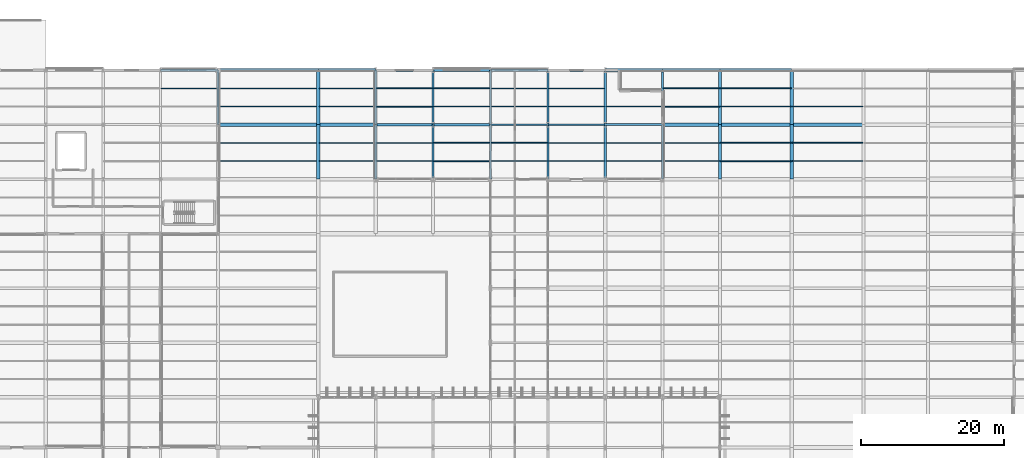
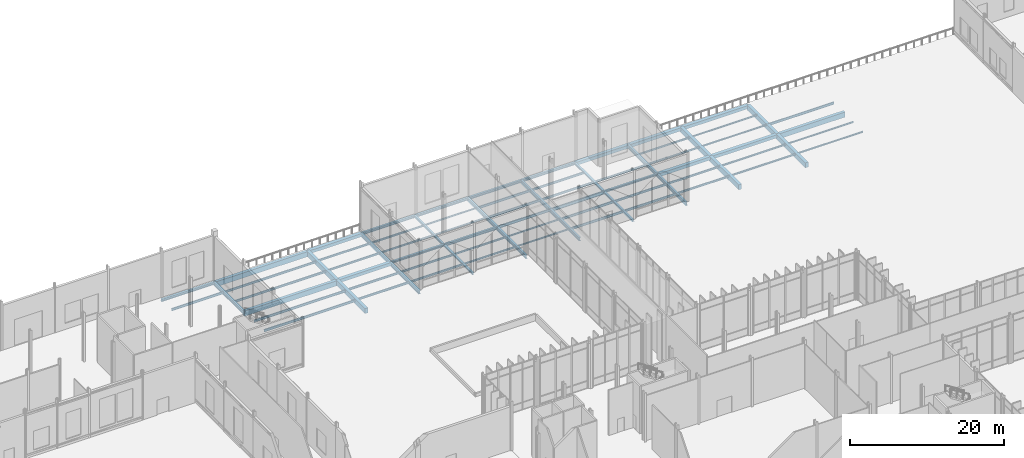
# One storey, part 114 of 176: 78 beams.
"""IFC4 building model written with IfcOpenShell, lengths in metres."""

from ifc_helpers import new_model, si_unit, direction, frame, origin, origin_2d, place, context, subcontext, project, spatial, rectangle, i_section, extrude, material, material_profile, profile_set, type_object, element, save


model = new_model("IFC4")

# Units and contexts
model_context = context("Model", 3, precision=1e-05, world=origin(), true_north=direction((0.0, 1.0)))
body_context = subcontext(model_context, "Body", "Model", "MODEL_VIEW")
ifc_project = project(units=[si_unit("LENGTHUNIT", "METRE"), si_unit("AREAUNIT", "SQUARE_METRE"), si_unit("VOLUMEUNIT", "CUBIC_METRE"), si_unit("PLANEANGLEUNIT", "RADIAN"), si_unit("MASSUNIT", "GRAM", prefix="KILO")], contexts=[model_context])

# Site, building, storey
site_placement = place(None, origin())
site = spatial("IfcSite", under=ifc_project, at=site_placement, CompositionType="ELEMENT")
building_placement = place(site_placement, origin())
building = spatial("IfcBuilding", under=site, at=building_placement, Name="Vekula Escarpment Museum", CompositionType="ELEMENT")
storey_placement = place(building_placement, origin())
storey = spatial("IfcBuildingStorey", under=building, at=storey_placement, Name="L01", CompositionType="ELEMENT", Elevation=0.0)

# Beams
ifc_material_1 = material(Name="Steel S355", Category="steel")
ifc_material_profile_1 = material_profile(ifc_material_1, i_section(OverallWidth=0.280029296875, OverallDepth=0.280029296875, WebThickness=0.010498046875, FlangeThickness=0.01806640625, FilletRadius=0.02392578125, at=origin_2d()), Name="HEB 280")
ifc_profile_set_1 = profile_set([ifc_material_profile_1], Name="Steel S355")
beam_type_1 = type_object("IfcBeamType", Name="BM-GIRD-HEB280", PredefinedType="BEAM", material=ifc_profile_set_1)
beam_1_placement = place(storey_placement, frame((110.0, 128.39990234375, -0.43994140625), z_axis=(1.0, 0.0, 0.0), x_axis=(0.0, 1.0, 0.0)))
element("IfcBeam", 1, at=beam_1_placement, inside=storey, type_object=beam_type_1, Name="Beam X L01 0367", PredefinedType="BEAM", context=body_context, shape_type="SweptSolid", body=[
    extrude(i_section(OverallWidth=0.280029296875, OverallDepth=0.280029296875, WebThickness=0.010498046875, FlangeThickness=0.01806640625, FilletRadius=0.02392578125, at=origin_2d()), origin(), (0.0, 0.0, 1.0), 8.0),
])
ifc_material_2 = material(Name="Steel S355", Category="steel")
ifc_material_profile_2 = material_profile(ifc_material_2, i_section(OverallWidth=0.300048828125, OverallDepth=0.320068359375, WebThickness=0.011474609375, FlangeThickness=0.0205078125, FilletRadius=0.027099609375, at=origin_2d()), Name="HEB 320")
ifc_profile_set_2 = profile_set([ifc_material_profile_2], Name="Steel S355")
beam_type_2 = type_object("IfcBeamType", Name="BM-GIRD-HEB320", PredefinedType="BEAM", material=ifc_profile_set_2)
beam_2_placement = place(storey_placement, frame((78.0, 128.39990234375, -0.4599609375), z_axis=(1.0, 0.0, 0.0), x_axis=(0.0, 1.0, 0.0)))
element("IfcBeam", 2, at=beam_2_placement, inside=storey, type_object=beam_type_2, Name="Beam X L01 0363", PredefinedType="BEAM", context=body_context, shape_type="SweptSolid", body=[
    extrude(i_section(OverallWidth=0.300048828125, OverallDepth=0.320068359375, WebThickness=0.011474609375, FlangeThickness=0.0205078125, FilletRadius=0.027099609375, at=origin_2d()), origin(), (0.0, 0.0, 1.0), 8.0),
])
ifc_material_3 = material(Name="Steel S355", Category="steel")
ifc_material_profile_3 = material_profile(ifc_material_3, i_section(OverallWidth=0.300048828125, OverallDepth=0.39990234375, WebThickness=0.013427734375, FlangeThickness=0.02392578125, FilletRadius=0.027099609375, at=origin_2d()), Name="HEB 400")
ifc_profile_set_3 = profile_set([ifc_material_profile_3], Name="Steel S355")
beam_type_3 = type_object("IfcBeamType", Name="BM-GIRD-HEB400", PredefinedType="BEAM", material=ifc_profile_set_3)
beam_3_placement = place(storey_placement, frame((86.0, 128.39990234375, -0.5), z_axis=(1.0, 0.0, 0.0), x_axis=(0.0, 1.0, 0.0)))
element("IfcBeam", 3, at=beam_3_placement, inside=storey, type_object=beam_type_3, Name="Beam X L01 0364", PredefinedType="BEAM", context=body_context, shape_type="SweptSolid", body=[
    extrude(i_section(OverallWidth=0.300048828125, OverallDepth=0.39990234375, WebThickness=0.013427734375, FlangeThickness=0.02392578125, FilletRadius=0.027099609375, at=origin_2d()), origin(), (0.0, 0.0, 1.0), 8.0),
])
ifc_material_4 = material(Name="Steel S355", Category="steel")
ifc_material_profile_4 = material_profile(ifc_material_4, i_section(OverallWidth=0.300048828125, OverallDepth=0.550048828125, WebThickness=0.014892578125, FlangeThickness=0.029052734375, FilletRadius=0.027099609375, at=origin_2d()), Name="HEB 550")
ifc_profile_set_4 = profile_set([ifc_material_profile_4], Name="Steel S355")
beam_type_4 = type_object("IfcBeamType", Name="BM-GIRD-HEB550", PredefinedType="BEAM", material=ifc_profile_set_4)
beam_4_placement = place(storey_placement, frame((56.0, 128.39990234375, -0.625), z_axis=(0.0, 1.0, 0.0), x_axis=(-1.0, 0.0, 0.0)))
element("IfcBeam", 4, at=beam_4_placement, inside=storey, type_object=beam_type_4, Name="Beam Y L01 0532", PredefinedType="BEAM", context=body_context, shape_type="SweptSolid", body=[
    extrude(i_section(OverallWidth=0.300048828125, OverallDepth=0.550048828125, WebThickness=0.014892578125, FlangeThickness=0.029052734375, FilletRadius=0.027099609375, at=origin_2d()), origin(), (0.0, 0.0, 1.0), 7.60009765625),
])
beam_5_placement = place(storey_placement, frame((78.0, 120.800048828125, -0.574951171875), z_axis=(0.0, 1.0, 0.0), x_axis=(-1.0, 0.0, 0.0)))
element("IfcBeam", 5, at=beam_5_placement, inside=storey, type_object=beam_type_4, Name="Beam Y L01 0562", PredefinedType="BEAM", context=body_context, shape_type="SweptSolid", body=[
    extrude(i_section(OverallWidth=0.300048828125, OverallDepth=0.550048828125, WebThickness=0.014892578125, FlangeThickness=0.029052734375, FilletRadius=0.027099609375, at=origin_2d()), origin(), (0.0, 0.0, 1.0), 7.599853515625),
])
beam_6_placement = place(storey_placement, frame((78.0, 128.39990234375, -0.574951171875), z_axis=(0.0, 1.0, 0.0), x_axis=(-1.0, 0.0, 0.0)))
element("IfcBeam", 6, at=beam_6_placement, inside=storey, type_object=beam_type_4, Name="Beam Y L01 0563", PredefinedType="BEAM", context=body_context, shape_type="SweptSolid", body=[
    extrude(i_section(OverallWidth=0.300048828125, OverallDepth=0.550048828125, WebThickness=0.014892578125, FlangeThickness=0.029052734375, FilletRadius=0.027099609375, at=origin_2d()), origin(), (0.0, 0.0, 1.0), 7.60009765625),
])
beam_7_placement = place(storey_placement, frame((94.0, 120.800048828125, -0.574951171875), z_axis=(0.0, 1.0, 0.0), x_axis=(-1.0, 0.0, 0.0)))
element("IfcBeam", 7, at=beam_7_placement, inside=storey, type_object=beam_type_4, Name="Beam Y L01 0592", PredefinedType="BEAM", context=body_context, shape_type="SweptSolid", body=[
    extrude(i_section(OverallWidth=0.300048828125, OverallDepth=0.550048828125, WebThickness=0.014892578125, FlangeThickness=0.029052734375, FilletRadius=0.027099609375, at=origin_2d()), origin(), (0.0, 0.0, 1.0), 7.599853515625),
])
beam_8_placement = place(storey_placement, frame((94.0, 128.39990234375, -0.574951171875), z_axis=(0.0, 1.0, 0.0), x_axis=(-1.0, 0.0, 0.0)))
element("IfcBeam", 8, at=beam_8_placement, inside=storey, type_object=beam_type_4, Name="Beam Y L01 0593", PredefinedType="BEAM", context=body_context, shape_type="SweptSolid", body=[
    extrude(i_section(OverallWidth=0.300048828125, OverallDepth=0.550048828125, WebThickness=0.014892578125, FlangeThickness=0.029052734375, FilletRadius=0.027099609375, at=origin_2d()), origin(), (0.0, 0.0, 1.0), 7.60009765625),
])
beam_9_placement = place(storey_placement, frame((102.0, 120.800048828125, -0.574951171875), z_axis=(0.0, 1.0, 0.0), x_axis=(-1.0, 0.0, 0.0)))
element("IfcBeam", 9, at=beam_9_placement, inside=storey, type_object=beam_type_4, Name="Beam Y L01 0610", PredefinedType="BEAM", context=body_context, shape_type="SweptSolid", body=[
    extrude(i_section(OverallWidth=0.300048828125, OverallDepth=0.550048828125, WebThickness=0.014892578125, FlangeThickness=0.029052734375, FilletRadius=0.027099609375, at=origin_2d()), origin(), (0.0, 0.0, 1.0), 7.599853515625),
])
beam_10_placement = place(storey_placement, frame((102.0, 128.39990234375, -0.574951171875), z_axis=(0.0, 1.0, 0.0), x_axis=(-1.0, 0.0, 0.0)))
element("IfcBeam", 10, at=beam_10_placement, inside=storey, type_object=beam_type_4, Name="Beam Y L01 0611", PredefinedType="BEAM", context=body_context, shape_type="SweptSolid", body=[
    extrude(i_section(OverallWidth=0.300048828125, OverallDepth=0.550048828125, WebThickness=0.014892578125, FlangeThickness=0.029052734375, FilletRadius=0.027099609375, at=origin_2d()), origin(), (0.0, 0.0, 1.0), 7.60009765625),
])
beam_11_placement = place(storey_placement, frame((118.0, 120.800048828125, -0.574951171875), z_axis=(0.0, 1.0, 0.0), x_axis=(-1.0, 0.0, 0.0)))
element("IfcBeam", 11, at=beam_11_placement, inside=storey, type_object=beam_type_4, Name="Beam Y L01 0646", PredefinedType="BEAM", context=body_context, shape_type="SweptSolid", body=[
    extrude(i_section(OverallWidth=0.300048828125, OverallDepth=0.550048828125, WebThickness=0.014892578125, FlangeThickness=0.029052734375, FilletRadius=0.027099609375, at=origin_2d()), origin(), (0.0, 0.0, 1.0), 7.599853515625),
])
beam_12_placement = place(storey_placement, frame((118.0, 128.39990234375, -0.574951171875), z_axis=(0.0, 1.0, 0.0), x_axis=(-1.0, 0.0, 0.0)))
element("IfcBeam", 12, at=beam_12_placement, inside=storey, type_object=beam_type_4, Name="Beam Y L01 0647", PredefinedType="BEAM", context=body_context, shape_type="SweptSolid", body=[
    extrude(i_section(OverallWidth=0.300048828125, OverallDepth=0.550048828125, WebThickness=0.014892578125, FlangeThickness=0.029052734375, FilletRadius=0.027099609375, at=origin_2d()), origin(), (0.0, 0.0, 1.0), 7.60009765625),
])
ifc_material_5 = material(Name="Steel S355", Category="steel")
ifc_material_profile_5 = material_profile(ifc_material_5, i_section(OverallWidth=0.179931640625, OverallDepth=0.39990234375, WebThickness=0.008544921875, FlangeThickness=0.013427734375, FilletRadius=0.02099609375, at=origin_2d()), Name="IPE 400")
ifc_profile_set_5 = profile_set([ifc_material_profile_5], Name="Steel S355")
beam_type_5 = type_object("IfcBeamType", Name="BM-GIRD-IPE400", PredefinedType="BEAM", material=ifc_profile_set_5)
beam_13_placement = place(storey_placement, frame((94.0, 128.39990234375, -0.5), z_axis=(1.0, 0.0, 0.0), x_axis=(0.0, 1.0, 0.0)))
element("IfcBeam", 13, at=beam_13_placement, inside=storey, type_object=beam_type_5, Name="Beam X L01 0365", PredefinedType="BEAM", context=body_context, shape_type="SweptSolid", body=[
    extrude(i_section(OverallWidth=0.179931640625, OverallDepth=0.39990234375, WebThickness=0.008544921875, FlangeThickness=0.013427734375, FilletRadius=0.02099609375, at=origin_2d()), origin(), (0.0, 0.0, 1.0), 8.0),
])
ifc_material_6 = material(Name="Steel S355", Category="steel")
ifc_material_profile_6 = material_profile(ifc_material_6, i_section(OverallWidth=0.199951171875, OverallDepth=0.5, WebThickness=0.01025390625, FlangeThickness=0.01611328125, FilletRadius=0.02099609375, at=origin_2d()), Name="IPE 500")
ifc_profile_set_6 = profile_set([ifc_material_profile_6], Name="Steel S355")
beam_type_6 = type_object("IfcBeamType", Name="BM-GIRD-IPE500", PredefinedType="BEAM", material=ifc_profile_set_6)
beam_14_placement = place(storey_placement, frame((102.0, 128.39990234375, -0.550048828125), z_axis=(1.0, 0.0, 0.0), x_axis=(0.0, 1.0, 0.0)))
element("IfcBeam", 14, at=beam_14_placement, inside=storey, type_object=beam_type_6, Name="Beam X L01 0366", PredefinedType="BEAM", context=body_context, shape_type="SweptSolid", body=[
    extrude(i_section(OverallWidth=0.199951171875, OverallDepth=0.5, WebThickness=0.01025390625, FlangeThickness=0.01611328125, FilletRadius=0.02099609375, at=origin_2d()), origin(), (0.0, 0.0, 1.0), 8.0),
])
ifc_material_7 = material(Name="Steel S355", Category="steel")
ifc_material_profile_7 = material_profile(ifc_material_7, i_section(OverallWidth=0.1201171875, OverallDepth=0.239990234375, WebThickness=0.006103515625, FlangeThickness=0.009765625, FilletRadius=0.014892578125, at=origin_2d()), Name="IPE 240")
ifc_profile_set_7 = profile_set([ifc_material_profile_7], Name="Steel S355")
beam_type_7 = type_object("IfcBeamType", Name="BM-JST-IPE240", PredefinedType="JOIST", material=ifc_profile_set_7)
for number, where, z_axis, x_axis, name in (
    (15, (86.090087890625, 130.933349609375, -0.419921875), (1.0, 0.0, 0.0), (0.0, 1.0, 0.0), "Secondary Joist L01 0286"),
    (16, (86.090087890625, 133.466796875, -0.419921875), (1.0, 0.0, 0.0), (0.0, 1.0, 0.0), "Secondary Joist L01 0287"),
    (17, (94.090087890625, 123.333251953125, -0.419921875), (1.0, 0.0, 0.0), (0.0, 1.0, 0.0), "Secondary Joist L01 0316"),
    (18, (94.090087890625, 125.86669921875, -0.419921875), (1.0, 0.0, 0.0), (0.0, 1.0, 0.0), "Secondary Joist L01 0317"),
):
    element("IfcBeam", number, at=place(storey_placement, frame(where, z_axis=z_axis, x_axis=x_axis)), inside=storey, type_object=beam_type_7, Name=name, PredefinedType="JOIST", context=body_context, shape_type="SweptSolid", body=[
        extrude(i_section(OverallWidth=0.1201171875, OverallDepth=0.239990234375, WebThickness=0.006103515625, FlangeThickness=0.009765625, FilletRadius=0.014892578125, at=origin_2d()), origin(), (0.0, 0.0, 1.0), 7.81982421875),
    ])
for number, where, z_axis, x_axis, name in (
    (19, (126.090087890625, 130.933349609375, -0.419921875), (1.0, 0.0, 0.0), (0.0, 1.0, 0.0), "Secondary Joist L01 0443"),
    (20, (126.090087890625, 133.466796875, -0.419921875), (1.0, 0.0, 0.0), (0.0, 1.0, 0.0), "Secondary Joist L01 0444"),
    (21, (136.090087890625, 123.333251953125, -0.419921875), (1.0, 0.0, 0.0), (0.0, 1.0, 0.0), "Secondary Joist L01 0471"),
    (22, (136.090087890625, 125.86669921875, -0.419921875), (1.0, 0.0, 0.0), (0.0, 1.0, 0.0), "Secondary Joist L01 0472"),
):
    element("IfcBeam", number, at=place(storey_placement, frame(where, z_axis=z_axis, x_axis=x_axis)), inside=storey, type_object=beam_type_7, Name=name, PredefinedType="JOIST", context=body_context, shape_type="SweptSolid", body=[
        extrude(i_section(OverallWidth=0.1201171875, OverallDepth=0.239990234375, WebThickness=0.006103515625, FlangeThickness=0.009765625, FilletRadius=0.014892578125, at=origin_2d()), origin(), (0.0, 0.0, 1.0), 9.81982421875),
    ])
ifc_material_8 = material(Name="Steel S355", Category="steel")
ifc_material_profile_8 = material_profile(ifc_material_8, i_section(OverallWidth=0.135009765625, OverallDepth=0.27001953125, WebThickness=0.006591796875, FlangeThickness=0.01025390625, FilletRadius=0.014892578125, at=origin_2d()), Name="IPE 270")
ifc_profile_set_8 = profile_set([ifc_material_profile_8], Name="Steel S355")
beam_type_8 = type_object("IfcBeamType", Name="BM-JST-IPE270", PredefinedType="JOIST", material=ifc_profile_set_8)
for number, where, z_axis, x_axis, name in (
    (23, (78.090087890625, 130.933349609375, -0.43505859375), (1.0, 0.0, 0.0), (0.0, 1.0, 0.0), "Secondary Joist L01 0269"),
    (24, (78.090087890625, 133.466796875, -0.43505859375), (1.0, 0.0, 0.0), (0.0, 1.0, 0.0), "Secondary Joist L01 0270"),
    (25, (86.090087890625, 123.333251953125, -0.43505859375), (1.0, 0.0, 0.0), (0.0, 1.0, 0.0), "Secondary Joist L01 0284"),
    (26, (86.090087890625, 125.86669921875, -0.43505859375), (1.0, 0.0, 0.0), (0.0, 1.0, 0.0), "Secondary Joist L01 0285"),
    (27, (118.090087890625, 130.933349609375, -0.43505859375), (1.0, 0.0, 0.0), (0.0, 1.0, 0.0), "Secondary Joist L01 0411"),
    (28, (118.090087890625, 133.466796875, -0.43505859375), (1.0, 0.0, 0.0), (0.0, 1.0, 0.0), "Secondary Joist L01 0412"),
):
    element("IfcBeam", number, at=place(storey_placement, frame(where, z_axis=z_axis, x_axis=x_axis)), inside=storey, type_object=beam_type_8, Name=name, PredefinedType="JOIST", context=body_context, shape_type="SweptSolid", body=[
        extrude(i_section(OverallWidth=0.135009765625, OverallDepth=0.27001953125, WebThickness=0.006591796875, FlangeThickness=0.01025390625, FilletRadius=0.014892578125, at=origin_2d()), origin(), (0.0, 0.0, 1.0), 7.81982421875),
    ])
for number, where, z_axis, x_axis, name in (
    (29, (126.090087890625, 123.333251953125, -0.43505859375), (1.0, 0.0, 0.0), (0.0, 1.0, 0.0), "Secondary Joist L01 0441"),
    (30, (126.090087890625, 125.86669921875, -0.43505859375), (1.0, 0.0, 0.0), (0.0, 1.0, 0.0), "Secondary Joist L01 0442"),
):
    element("IfcBeam", number, at=place(storey_placement, frame(where, z_axis=z_axis, x_axis=x_axis)), inside=storey, type_object=beam_type_8, Name=name, PredefinedType="JOIST", context=body_context, shape_type="SweptSolid", body=[
        extrude(i_section(OverallWidth=0.135009765625, OverallDepth=0.27001953125, WebThickness=0.006591796875, FlangeThickness=0.01025390625, FilletRadius=0.014892578125, at=origin_2d()), origin(), (0.0, 0.0, 1.0), 9.81982421875),
    ])
ifc_material_9 = material(Name="Steel S355", Category="steel")
ifc_material_profile_9 = material_profile(ifc_material_9, i_section(OverallWidth=0.14990234375, OverallDepth=0.300048828125, WebThickness=0.007080078125, FlangeThickness=0.0107421875, FilletRadius=0.014892578125, at=origin_2d()), Name="IPE 300")
ifc_profile_set_9 = profile_set([ifc_material_profile_9], Name="Steel S355")
beam_type_9 = type_object("IfcBeamType", Name="BM-JST-IPE300", PredefinedType="JOIST", material=ifc_profile_set_9)
for number, where, z_axis, x_axis, name in (
    (31, (70.090087890625, 130.933349609375, -0.449951171875), (1.0, 0.0, 0.0), (0.0, 1.0, 0.0), "Secondary Joist L01 0249"),
    (32, (70.090087890625, 133.466796875, -0.449951171875), (1.0, 0.0, 0.0), (0.0, 1.0, 0.0), "Secondary Joist L01 0250"),
    (33, (78.090087890625, 123.333251953125, -0.449951171875), (1.0, 0.0, 0.0), (0.0, 1.0, 0.0), "Secondary Joist L01 0267"),
    (34, (78.090087890625, 125.86669921875, -0.449951171875), (1.0, 0.0, 0.0), (0.0, 1.0, 0.0), "Secondary Joist L01 0268"),
    (35, (110.090087890625, 130.933349609375, -0.449951171875), (1.0, 0.0, 0.0), (0.0, 1.0, 0.0), "Secondary Joist L01 0381"),
    (36, (118.090087890625, 123.333251953125, -0.449951171875), (1.0, 0.0, 0.0), (0.0, 1.0, 0.0), "Secondary Joist L01 0409"),
    (37, (118.090087890625, 125.86669921875, -0.449951171875), (1.0, 0.0, 0.0), (0.0, 1.0, 0.0), "Secondary Joist L01 0410"),
):
    element("IfcBeam", number, at=place(storey_placement, frame(where, z_axis=z_axis, x_axis=x_axis)), inside=storey, type_object=beam_type_9, Name=name, PredefinedType="JOIST", context=body_context, shape_type="SweptSolid", body=[
        extrude(i_section(OverallWidth=0.14990234375, OverallDepth=0.300048828125, WebThickness=0.007080078125, FlangeThickness=0.0107421875, FilletRadius=0.014892578125, at=origin_2d()), origin(), (0.0, 0.0, 1.0), 7.81982421875),
    ])
ifc_material_10 = material(Name="Steel S355", Category="steel")
ifc_material_profile_10 = material_profile(ifc_material_10, i_section(OverallWidth=0.159912109375, OverallDepth=0.330078125, WebThickness=0.007568359375, FlangeThickness=0.011474609375, FilletRadius=0.01806640625, at=origin_2d()), Name="IPE 330")
ifc_profile_set_10 = profile_set([ifc_material_profile_10], Name="Steel S355")
beam_type_10 = type_object("IfcBeamType", Name="BM-JST-IPE330", PredefinedType="JOIST", material=ifc_profile_set_10)
for number, where, z_axis, x_axis, name in (
    (38, (56.090087890625, 130.933349609375, -0.514892578125), (1.0, 0.0, 0.0), (0.0, 1.0, 0.0), "Secondary Joist L01 0230"),
    (39, (56.090087890625, 133.466796875, -0.514892578125), (1.0, 0.0, 0.0), (0.0, 1.0, 0.0), "Secondary Joist L01 0231"),
):
    element("IfcBeam", number, at=place(storey_placement, frame(where, z_axis=z_axis, x_axis=x_axis)), inside=storey, type_object=beam_type_10, Name=name, PredefinedType="JOIST", context=body_context, shape_type="SweptSolid", body=[
        extrude(i_section(OverallWidth=0.159912109375, OverallDepth=0.330078125, WebThickness=0.007568359375, FlangeThickness=0.011474609375, FilletRadius=0.01806640625, at=origin_2d()), origin(), (0.0, 0.0, 1.0), 13.81982421875),
    ])
for number, where, z_axis, x_axis, name in (
    (40, (70.090087890625, 123.333251953125, -0.465087890625), (1.0, 0.0, 0.0), (0.0, 1.0, 0.0), "Secondary Joist L01 0247"),
    (41, (70.090087890625, 125.86669921875, -0.465087890625), (1.0, 0.0, 0.0), (0.0, 1.0, 0.0), "Secondary Joist L01 0248"),
    (42, (102.090087890625, 130.933349609375, -0.465087890625), (1.0, 0.0, 0.0), (0.0, 1.0, 0.0), "Secondary Joist L01 0350"),
    (43, (102.090087890625, 133.466796875, -0.465087890625), (1.0, 0.0, 0.0), (0.0, 1.0, 0.0), "Secondary Joist L01 0351"),
    (44, (110.090087890625, 123.333251953125, -0.465087890625), (1.0, 0.0, 0.0), (0.0, 1.0, 0.0), "Secondary Joist L01 0379"),
    (45, (110.090087890625, 125.86669921875, -0.465087890625), (1.0, 0.0, 0.0), (0.0, 1.0, 0.0), "Secondary Joist L01 0380"),
):
    element("IfcBeam", number, at=place(storey_placement, frame(where, z_axis=z_axis, x_axis=x_axis)), inside=storey, type_object=beam_type_10, Name=name, PredefinedType="JOIST", context=body_context, shape_type="SweptSolid", body=[
        extrude(i_section(OverallWidth=0.159912109375, OverallDepth=0.330078125, WebThickness=0.007568359375, FlangeThickness=0.011474609375, FilletRadius=0.01806640625, at=origin_2d()), origin(), (0.0, 0.0, 1.0), 7.81982421875),
    ])
ifc_material_11 = material(Name="Steel S355", Category="steel")
ifc_material_profile_11 = material_profile(ifc_material_11, i_section(OverallWidth=0.169921875, OverallDepth=0.360107421875, WebThickness=0.008056640625, FlangeThickness=0.0126953125, FilletRadius=0.01806640625, at=origin_2d()), Name="IPE 360")
ifc_profile_set_11 = profile_set([ifc_material_profile_11], Name="Steel S355")
beam_type_11 = type_object("IfcBeamType", Name="BM-JST-IPE360", PredefinedType="JOIST", material=ifc_profile_set_11)
beam_15_placement = place(storey_placement, frame((48.090087890625, 133.466796875, -0.530029296875), z_axis=(1.0, 0.0, 0.0), x_axis=(0.0, 1.0, 0.0)))
element("IfcBeam", 46, at=beam_15_placement, inside=storey, type_object=beam_type_11, Name="Secondary Joist L01 0200", PredefinedType="JOIST", context=body_context, shape_type="SweptSolid", body=[
    extrude(i_section(OverallWidth=0.169921875, OverallDepth=0.360107421875, WebThickness=0.008056640625, FlangeThickness=0.0126953125, FilletRadius=0.01806640625, at=origin_2d()), origin(), (0.0, 0.0, 1.0), 7.81982421875),
])
for number, where, z_axis, x_axis, name in (
    (47, (56.090087890625, 123.333251953125, -0.530029296875), (1.0, 0.0, 0.0), (0.0, 1.0, 0.0), "Secondary Joist L01 0228"),
    (48, (56.090087890625, 125.86669921875, -0.530029296875), (1.0, 0.0, 0.0), (0.0, 1.0, 0.0), "Secondary Joist L01 0229"),
):
    element("IfcBeam", number, at=place(storey_placement, frame(where, z_axis=z_axis, x_axis=x_axis)), inside=storey, type_object=beam_type_11, Name=name, PredefinedType="JOIST", context=body_context, shape_type="SweptSolid", body=[
        extrude(i_section(OverallWidth=0.169921875, OverallDepth=0.360107421875, WebThickness=0.008056640625, FlangeThickness=0.0126953125, FilletRadius=0.01806640625, at=origin_2d()), origin(), (0.0, 0.0, 1.0), 13.81982421875),
    ])
for number, where, z_axis, x_axis, name in (
    (49, (94.090087890625, 130.933349609375, -0.47998046875), (1.0, 0.0, 0.0), (0.0, 1.0, 0.0), "Secondary Joist L01 0318"),
    (50, (94.090087890625, 133.466796875, -0.47998046875), (1.0, 0.0, 0.0), (0.0, 1.0, 0.0), "Secondary Joist L01 0319"),
    (51, (102.090087890625, 123.333251953125, -0.47998046875), (1.0, 0.0, 0.0), (0.0, 1.0, 0.0), "Secondary Joist L01 0348"),
    (52, (102.090087890625, 125.86669921875, -0.47998046875), (1.0, 0.0, 0.0), (0.0, 1.0, 0.0), "Secondary Joist L01 0349"),
):
    element("IfcBeam", number, at=place(storey_placement, frame(where, z_axis=z_axis, x_axis=x_axis)), inside=storey, type_object=beam_type_11, Name=name, PredefinedType="JOIST", context=body_context, shape_type="SweptSolid", body=[
        extrude(i_section(OverallWidth=0.169921875, OverallDepth=0.360107421875, WebThickness=0.008056640625, FlangeThickness=0.0126953125, FilletRadius=0.01806640625, at=origin_2d()), origin(), (0.0, 0.0, 1.0), 7.81982421875),
    ])
beam_16_placement = place(storey_placement, frame((136.090087890625, 130.933349609375, -0.47998046875), z_axis=(1.0, 0.0, 0.0), x_axis=(0.0, 1.0, 0.0)))
element("IfcBeam", 53, at=beam_16_placement, inside=storey, type_object=beam_type_11, Name="Secondary Joist L01 0473", PredefinedType="JOIST", context=body_context, shape_type="SweptSolid", body=[
    extrude(i_section(OverallWidth=0.169921875, OverallDepth=0.360107421875, WebThickness=0.008056640625, FlangeThickness=0.0126953125, FilletRadius=0.01806640625, at=origin_2d()), origin(), (0.0, 0.0, 1.0), 9.81982421875),
])
ifc_material_12 = material(Name="Concrete C35/45", Category="concrete")
ifc_material_profile_12 = material_profile(ifc_material_12, rectangle(XDim=0.449951171875, YDim=0.800048828125, at=origin_2d()), Name="RC 450x800")
ifc_profile_set_12 = profile_set([ifc_material_profile_12], Name="Concrete C35/45")
beam_type_12 = type_object("IfcBeamType", Name="BM-PLINTH-RC", PredefinedType="BEAM", material=ifc_profile_set_12)
beam_17_placement = place(storey_placement, frame((56.0, 128.39990234375, -0.75), z_axis=(1.0, 0.0, 0.0), x_axis=(0.0, 1.0, 0.0)))
element("IfcBeam", 54, at=beam_17_placement, inside=storey, type_object=beam_type_12, Name="Beam X L01 0361", PredefinedType="BEAM", context=body_context, shape_type="SweptSolid", body=[
    extrude(rectangle(XDim=0.449951171875, YDim=0.800048828125, at=origin_2d()), origin(), (0.0, 0.0, 1.0), 14.0),
])
beam_18_placement = place(storey_placement, frame((136.0, 128.39990234375, -0.699951171875), z_axis=(1.0, 0.0, 0.0), x_axis=(0.0, 1.0, 0.0)))
element("IfcBeam", 55, at=beam_18_placement, inside=storey, type_object=beam_type_12, Name="Beam X L01 0370", PredefinedType="BEAM", context=body_context, shape_type="SweptSolid", body=[
    extrude(rectangle(XDim=0.449951171875, YDim=0.800048828125, at=origin_2d()), origin(), (0.0, 0.0, 1.0), 10.0),
])
beam_19_placement = place(storey_placement, frame((56.0, 136.0, -0.75), z_axis=(1.0, 0.0, 0.0), x_axis=(0.0, 1.0, 0.0)))
element("IfcBeam", 56, at=beam_19_placement, inside=storey, type_object=beam_type_12, Name="Beam X L01 0384", PredefinedType="BEAM", context=body_context, shape_type="SweptSolid", body=[
    extrude(rectangle(XDim=0.449951171875, YDim=0.800048828125, at=origin_2d()), origin(), (0.0, 0.0, 1.0), 14.0),
])
beam_20_placement = place(storey_placement, frame((70.0, 120.800048828125, -0.699951171875), z_axis=(0.0, 1.0, 0.0), x_axis=(-1.0, 0.0, 0.0)))
element("IfcBeam", 57, at=beam_20_placement, inside=storey, type_object=beam_type_12, Name="Beam Y L01 0550", PredefinedType="BEAM", context=body_context, shape_type="SweptSolid", body=[
    extrude(rectangle(XDim=0.449951171875, YDim=0.800048828125, at=origin_2d()), origin(), (0.0, 0.0, 1.0), 7.599853515625),
])
beam_21_placement = place(storey_placement, frame((70.0, 128.39990234375, -0.699951171875), z_axis=(0.0, 1.0, 0.0), x_axis=(-1.0, 0.0, 0.0)))
element("IfcBeam", 58, at=beam_21_placement, inside=storey, type_object=beam_type_12, Name="Beam Y L01 0551", PredefinedType="BEAM", context=body_context, shape_type="SweptSolid", body=[
    extrude(rectangle(XDim=0.449951171875, YDim=0.800048828125, at=origin_2d()), origin(), (0.0, 0.0, 1.0), 7.60009765625),
])
beam_22_placement = place(storey_placement, frame((126.0, 120.800048828125, -0.699951171875), z_axis=(0.0, 1.0, 0.0), x_axis=(-1.0, 0.0, 0.0)))
element("IfcBeam", 59, at=beam_22_placement, inside=storey, type_object=beam_type_12, Name="Beam Y L01 0665", PredefinedType="BEAM", context=body_context, shape_type="SweptSolid", body=[
    extrude(rectangle(XDim=0.449951171875, YDim=0.800048828125, at=origin_2d()), origin(), (0.0, 0.0, 1.0), 7.599853515625),
])
beam_23_placement = place(storey_placement, frame((126.0, 128.39990234375, -0.699951171875), z_axis=(0.0, 1.0, 0.0), x_axis=(-1.0, 0.0, 0.0)))
element("IfcBeam", 60, at=beam_23_placement, inside=storey, type_object=beam_type_12, Name="Beam Y L01 0666", PredefinedType="BEAM", context=body_context, shape_type="SweptSolid", body=[
    extrude(rectangle(XDim=0.449951171875, YDim=0.800048828125, at=origin_2d()), origin(), (0.0, 0.0, 1.0), 7.60009765625),
])
beam_24_placement = place(storey_placement, frame((136.0, 120.800048828125, -0.699951171875), z_axis=(0.0, 1.0, 0.0), x_axis=(-1.0, 0.0, 0.0)))
element("IfcBeam", 61, at=beam_24_placement, inside=storey, type_object=beam_type_12, Name="Beam Y L01 0684", PredefinedType="BEAM", context=body_context, shape_type="SweptSolid", body=[
    extrude(rectangle(XDim=0.449951171875, YDim=0.800048828125, at=origin_2d()), origin(), (0.0, 0.0, 1.0), 7.599853515625),
])
beam_25_placement = place(storey_placement, frame((136.0, 128.39990234375, -0.699951171875), z_axis=(0.0, 1.0, 0.0), x_axis=(-1.0, 0.0, 0.0)))
element("IfcBeam", 62, at=beam_25_placement, inside=storey, type_object=beam_type_12, Name="Beam Y L01 0685", PredefinedType="BEAM", context=body_context, shape_type="SweptSolid", body=[
    extrude(rectangle(XDim=0.449951171875, YDim=0.800048828125, at=origin_2d()), origin(), (0.0, 0.0, 1.0), 7.60009765625),
])
ifc_material_13 = material(Name="Concrete C35/45", Category="concrete")
ifc_material_profile_13 = material_profile(ifc_material_13, rectangle(XDim=0.5, YDim=0.5, at=origin_2d()), Name="RC 500x500")
ifc_profile_set_13 = profile_set([ifc_material_profile_13], Name="Concrete C35/45")
beam_type_13 = type_object("IfcBeamType", Name="BM-PLINTH-RC3", PredefinedType="BEAM", material=ifc_profile_set_13)
for number, where, z_axis, x_axis, name in (
    (63, (70.0, 128.39990234375, -0.550048828125), (1.0, 0.0, 0.0), (0.0, 1.0, 0.0), "Beam X L01 0362"),
    (64, (118.0, 128.39990234375, -0.550048828125), (1.0, 0.0, 0.0), (0.0, 1.0, 0.0), "Beam X L01 0368"),
):
    element("IfcBeam", number, at=place(storey_placement, frame(where, z_axis=z_axis, x_axis=x_axis)), inside=storey, type_object=beam_type_13, Name=name, PredefinedType="BEAM", context=body_context, shape_type="SweptSolid", body=[
        extrude(rectangle(XDim=0.5, YDim=0.5, at=origin_2d()), origin(), (0.0, 0.0, 1.0), 8.0),
    ])
beam_26_placement = place(storey_placement, frame((126.0, 128.39990234375, -0.550048828125), z_axis=(1.0, 0.0, 0.0), x_axis=(0.0, 1.0, 0.0)))
element("IfcBeam", 65, at=beam_26_placement, inside=storey, type_object=beam_type_13, Name="Beam X L01 0369", PredefinedType="BEAM", context=body_context, shape_type="SweptSolid", body=[
    extrude(rectangle(XDim=0.5, YDim=0.5, at=origin_2d()), origin(), (0.0, 0.0, 1.0), 10.0),
])
for number, where, z_axis, x_axis, name in (
    (66, (70.0, 136.0, -0.550048828125), (1.0, 0.0, 0.0), (0.0, 1.0, 0.0), "Beam X L01 0385"),
    (67, (110.0, 136.0, -0.550048828125), (1.0, 0.0, 0.0), (0.0, 1.0, 0.0), "Beam X L01 0390"),
    (68, (118.0, 136.0, -0.550048828125), (1.0, 0.0, 0.0), (0.0, 1.0, 0.0), "Beam X L01 0391"),
):
    element("IfcBeam", number, at=place(storey_placement, frame(where, z_axis=z_axis, x_axis=x_axis)), inside=storey, type_object=beam_type_13, Name=name, PredefinedType="BEAM", context=body_context, shape_type="SweptSolid", body=[
        extrude(rectangle(XDim=0.5, YDim=0.5, at=origin_2d()), origin(), (0.0, 0.0, 1.0), 8.0),
    ])
beam_27_placement = place(storey_placement, frame((126.0, 136.0, -0.550048828125), z_axis=(1.0, 0.0, 0.0), x_axis=(0.0, 1.0, 0.0)))
element("IfcBeam", 69, at=beam_27_placement, inside=storey, type_object=beam_type_13, Name="Beam X L01 0392", PredefinedType="BEAM", context=body_context, shape_type="SweptSolid", body=[
    extrude(rectangle(XDim=0.5, YDim=0.5, at=origin_2d()), origin(), (0.0, 0.0, 1.0), 10.0),
])
ifc_material_14 = material(Name="Steel S355", Category="steel")
ifc_material_profile_14 = material_profile(ifc_material_14, i_section(OverallWidth=0.300048828125, OverallDepth=0.2900390625, WebThickness=0.008544921875, FlangeThickness=0.013916015625, FilletRadius=0.027099609375, at=origin_2d()), Name="HEA 300")
ifc_profile_set_14 = profile_set([ifc_material_profile_14], Name="Steel S355")
beam_type_14 = type_object("IfcBeamType", Name="BM-SPAN-HEA300", PredefinedType="SPANDREL", material=ifc_profile_set_14)
beam_28_placement = place(storey_placement, frame((86.0, 120.800048828125, -0.445068359375), z_axis=(0.0, 1.0, 0.0), x_axis=(-1.0, 0.0, 0.0)))
element("IfcBeam", 70, at=beam_28_placement, inside=storey, type_object=beam_type_14, Name="Beam Y L01 0574", PredefinedType="SPANDREL", context=body_context, shape_type="SweptSolid", body=[
    extrude(i_section(OverallWidth=0.300048828125, OverallDepth=0.2900390625, WebThickness=0.008544921875, FlangeThickness=0.013916015625, FilletRadius=0.027099609375, at=origin_2d()), origin(), (0.0, 0.0, 1.0), 7.599853515625),
])
beam_29_placement = place(storey_placement, frame((86.0, 128.39990234375, -0.445068359375), z_axis=(0.0, 1.0, 0.0), x_axis=(-1.0, 0.0, 0.0)))
element("IfcBeam", 71, at=beam_29_placement, inside=storey, type_object=beam_type_14, Name="Beam Y L01 0575", PredefinedType="SPANDREL", context=body_context, shape_type="SweptSolid", body=[
    extrude(i_section(OverallWidth=0.300048828125, OverallDepth=0.2900390625, WebThickness=0.008544921875, FlangeThickness=0.013916015625, FilletRadius=0.027099609375, at=origin_2d()), origin(), (0.0, 0.0, 1.0), 7.60009765625),
])
beam_30_placement = place(storey_placement, frame((110.0, 120.800048828125, -0.445068359375), z_axis=(0.0, 1.0, 0.0), x_axis=(-1.0, 0.0, 0.0)))
element("IfcBeam", 72, at=beam_30_placement, inside=storey, type_object=beam_type_14, Name="Beam Y L01 0628", PredefinedType="SPANDREL", context=body_context, shape_type="SweptSolid", body=[
    extrude(i_section(OverallWidth=0.300048828125, OverallDepth=0.2900390625, WebThickness=0.008544921875, FlangeThickness=0.013916015625, FilletRadius=0.027099609375, at=origin_2d()), origin(), (0.0, 0.0, 1.0), 7.599853515625),
])
beam_31_placement = place(storey_placement, frame((110.0, 128.39990234375, -0.445068359375), z_axis=(0.0, 1.0, 0.0), x_axis=(-1.0, 0.0, 0.0)))
element("IfcBeam", 73, at=beam_31_placement, inside=storey, type_object=beam_type_14, Name="Beam Y L01 0629", PredefinedType="SPANDREL", context=body_context, shape_type="SweptSolid", body=[
    extrude(i_section(OverallWidth=0.300048828125, OverallDepth=0.2900390625, WebThickness=0.008544921875, FlangeThickness=0.013916015625, FilletRadius=0.027099609375, at=origin_2d()), origin(), (0.0, 0.0, 1.0), 7.60009765625),
])
ifc_material_15 = material(Name="Steel S355", Category="steel")
ifc_material_profile_15 = material_profile(ifc_material_15, i_section(OverallWidth=0.300048828125, OverallDepth=0.389892578125, WebThickness=0.010986328125, FlangeThickness=0.01904296875, FilletRadius=0.027099609375, at=origin_2d()), Name="HEA 400")
ifc_profile_set_15 = profile_set([ifc_material_profile_15], Name="Steel S355")
beam_type_15 = type_object("IfcBeamType", Name="BM-SPAN-HEA400", PredefinedType="SPANDREL", material=ifc_profile_set_15)
for number, where, z_axis, x_axis, name in (
    (74, (48.0, 136.0, -0.544921875), (1.0, 0.0, 0.0), (0.0, 1.0, 0.0), "Beam X L01 0383"),
    (75, (78.0, 136.0, -0.4951171875), (1.0, 0.0, 0.0), (0.0, 1.0, 0.0), "Beam X L01 0386"),
    (76, (86.0, 136.0, -0.4951171875), (1.0, 0.0, 0.0), (0.0, 1.0, 0.0), "Beam X L01 0387"),
    (77, (94.0, 136.0, -0.4951171875), (1.0, 0.0, 0.0), (0.0, 1.0, 0.0), "Beam X L01 0388"),
    (78, (102.0, 136.0, -0.4951171875), (1.0, 0.0, 0.0), (0.0, 1.0, 0.0), "Beam X L01 0389"),
):
    element("IfcBeam", number, at=place(storey_placement, frame(where, z_axis=z_axis, x_axis=x_axis)), inside=storey, type_object=beam_type_15, Name=name, PredefinedType="SPANDREL", context=body_context, shape_type="SweptSolid", body=[
        extrude(i_section(OverallWidth=0.300048828125, OverallDepth=0.389892578125, WebThickness=0.010986328125, FlangeThickness=0.01904296875, FilletRadius=0.027099609375, at=origin_2d()), origin(), (0.0, 0.0, 1.0), 8.0),
    ])

save(model, "model.ifc")
